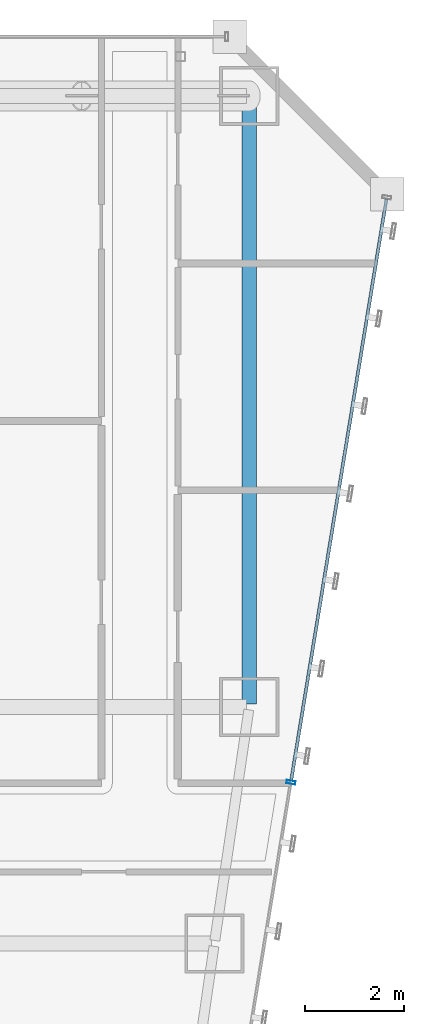
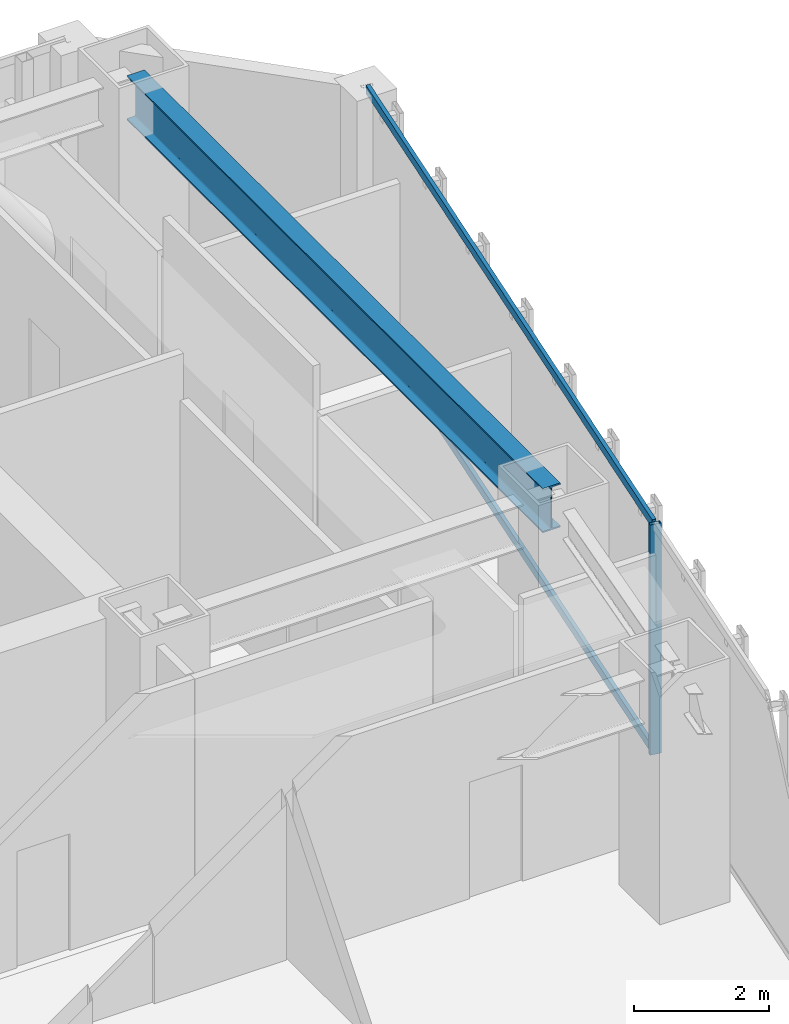
# One storey, part 31 of 49: 3 members, 1 beam, 1 element without a shape of its own.
"""IFC4 building model written with IfcOpenShell, lengths in metres."""

from ifc_helpers import new_model, si_unit, direction, frame, origin, origin_2d, place, context, subcontext, project, spatial, hollow_rectangle, i_section, extrude, material, material_profile, profile_set, type_object, element, aggregate, save


model = new_model("IFC4")

# Units and contexts
model_context = context("Model", 3, precision=1e-05, world=origin(), true_north=direction((0.0, 1.0)))
body_context = subcontext(model_context, "Body", "Model", "MODEL_VIEW")
ifc_project = project(units=[si_unit("LENGTHUNIT", "METRE"), si_unit("AREAUNIT", "SQUARE_METRE"), si_unit("VOLUMEUNIT", "CUBIC_METRE"), si_unit("PLANEANGLEUNIT", "RADIAN"), si_unit("MASSUNIT", "GRAM", prefix="KILO")], contexts=[model_context])

# Site, building, storey
site_placement = place(None, origin())
site = spatial("IfcSite", under=ifc_project, at=site_placement, CompositionType="ELEMENT")
building_placement = place(site_placement, origin())
building = spatial("IfcBuilding", under=site, at=building_placement, Name="Saevonmaru Cultural Tower", CompositionType="ELEMENT")
storey_placement = place(building_placement, frame((0.0, 0.0, 73.60009765625)))
storey = spatial("IfcBuildingStorey", under=building, at=storey_placement, Name="L15", CompositionType="ELEMENT", Elevation=73.60009765625)

# Beam
ifc_material_1 = material(Name="Steel SM420", Category="steel")
ifc_material_profile_1 = material_profile(ifc_material_1, i_section(OverallWidth=0.300048828125, OverallDepth=0.800048828125, WebThickness=0.013916015625, FlangeThickness=0.02587890625, FilletRadius=0.028076171875, at=origin_2d()), Name="H-800x300x14x26")
ifc_profile_set_1 = profile_set([ifc_material_profile_1], Name="Steel SM420")
beam_type = type_object("IfcBeamType", Name="BM-G-H800", PredefinedType="BEAM", material=ifc_profile_set_1)
beam_placement = place(storey_placement, frame((53.199951171875, 54.739990234375, 3.75), z_axis=(0.0, -1.0, 0.0), x_axis=(1.0, 0.0, 0.0)))
element("IfcBeam", 1, at=beam_placement, inside=storey, type_object=beam_type, Name="L15 Spine Transverse Girder E", PredefinedType="BEAM", context=body_context, shape_type="SweptSolid", body=[
    extrude(i_section(OverallWidth=0.300048828125, OverallDepth=0.800048828125, WebThickness=0.013916015625, FlangeThickness=0.02587890625, FilletRadius=0.028076171875, at=origin_2d()), origin(), (0.0, 0.0, 1.0), 12.280029296875),
])

# Curtain wall, members
ifc_material_2 = material(Name="Satin Bronze Anodised Aluminium", Category="aluminium")
curtain_wall_type = type_object("IfcCurtainWallType", Name="CW-TYP-A", PredefinedType="NOTDEFINED", material=ifc_material_2)
curtain_wall_placement = place(storey_placement, origin())
curtain_wall = element("IfcCurtainWall", 2, at=curtain_wall_placement, inside=storey, type_object=curtain_wall_type, Name="L15 Unitised Curtain Wall E8", PredefinedType="NOTDEFINED")
ifc_material_profile_2 = material_profile(ifc_material_2, hollow_rectangle(XDim=0.06494140625, YDim=0.179931640625, WallThickness=0.00390625, at=origin_2d()), Name="ALU-MULL-180x65x4")
ifc_profile_set_2 = profile_set([ifc_material_profile_2], Name="Satin Bronze Anodised Aluminium")
member_type_1 = type_object("IfcMemberType", Name="ML-CW-180x65", PredefinedType="MULLION", material=ifc_profile_set_2)
member_1_placement = place(storey_placement, frame((54.045166015625, 40.870361328125, 0.0), z_axis=(0.0, 0.0, 1.0), x_axis=(0.161708868641, 0.986838508472, 0.0)))
member_1 = element("IfcMember", 3, at=member_1_placement, type_object=member_type_1, Name="CW-TW-L15-E8 mullion 4", PredefinedType="MULLION", context=body_context, shape_type="SweptSolid", body=[
    extrude(hollow_rectangle(XDim=0.06494140625, YDim=0.179931640625, WallThickness=0.00390625, at=origin_2d()), origin(), (0.0, 0.0, 1.0), 4.14990234375),
])
ifc_material_profile_3 = material_profile(ifc_material_2, hollow_rectangle(XDim=0.06494140625, YDim=0.14990234375, WallThickness=0.00390625, at=origin_2d()), Name="ALU-TRAN-150x65x4")
ifc_profile_set_3 = profile_set([ifc_material_profile_3], Name="Satin Bronze Anodised Aluminium")
member_type_2 = type_object("IfcMemberType", Name="TR-CW-150x65", PredefinedType="USERDEFINED", material=ifc_profile_set_3)
member_2_placement = place(storey_placement, frame((54.05029296875, 40.902587890625, 0.032470703125), z_axis=(0.161724530373, 0.986835941925, 0.0), x_axis=(-0.986835941925, 0.161724530373, 0.0)))
member_2 = element("IfcMember", 4, at=member_2_placement, type_object=member_type_2, Name="CW-TW-L15-E8 transom 4.1", ObjectType="TRANSOM", PredefinedType="USERDEFINED", context=body_context, shape_type="SweptSolid", body=[
    extrude(hollow_rectangle(XDim=0.06494140625, YDim=0.14990234375, WallThickness=0.00390625, at=origin_2d()), origin(), (0.0, 0.0, 1.0), 11.963623046875),
])
member_3_placement = place(storey_placement, frame((54.05029296875, 40.902587890625, 4.117431640625), z_axis=(0.161724530373, 0.986835941925, 0.0), x_axis=(-0.986835941925, 0.161724530373, 0.0)))
member_3 = element("IfcMember", 5, at=member_3_placement, type_object=member_type_2, Name="CW-TW-L15-E8 transom 4.2", ObjectType="TRANSOM", PredefinedType="USERDEFINED", context=body_context, shape_type="SweptSolid", body=[
    extrude(hollow_rectangle(XDim=0.06494140625, YDim=0.14990234375, WallThickness=0.00390625, at=origin_2d()), origin(), (0.0, 0.0, 1.0), 11.963623046875),
])
aggregate(curtain_wall, [member_1, member_2, member_3])

save(model, "model.ifc")
